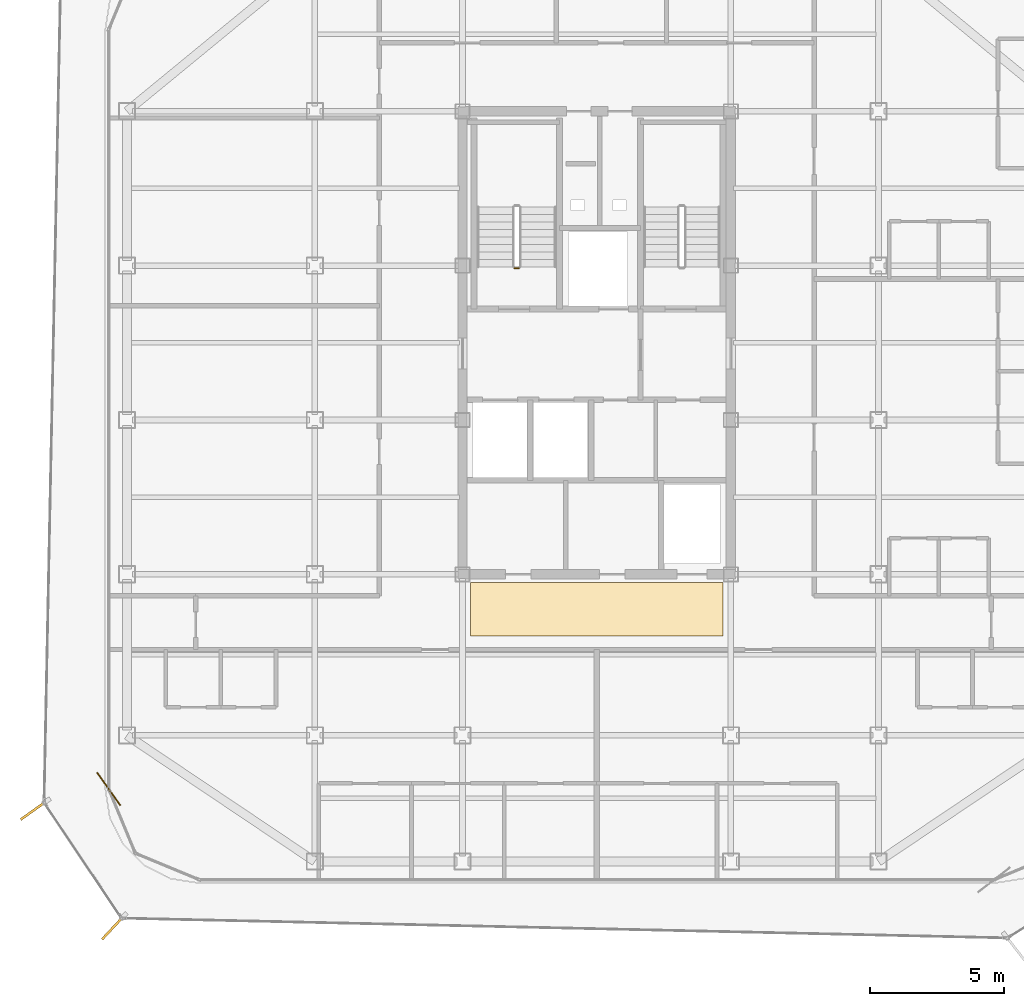
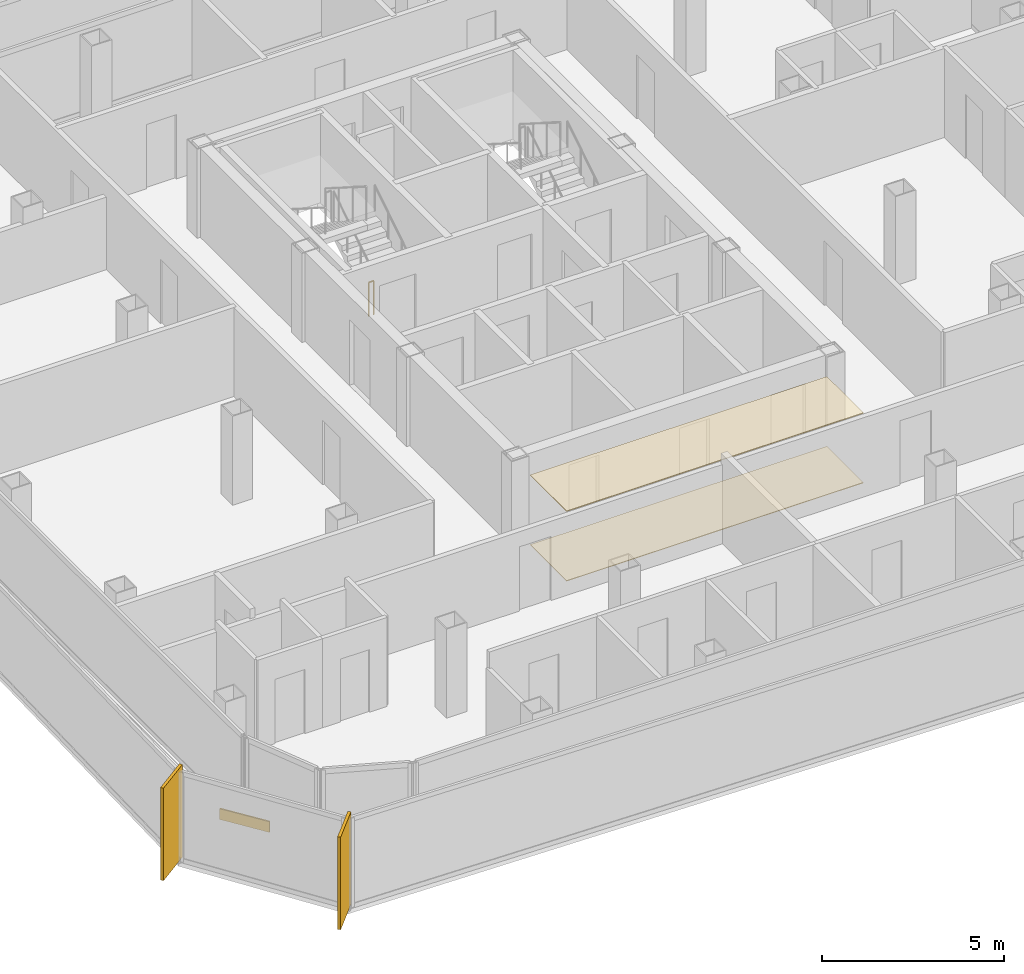
# One storey, part 13 of 15: 3 coverings, 2 shading devices, 1 railing.
"""IFC4 building model written with IfcOpenShell, lengths in metres."""

from ifc_helpers import new_model, si_unit, direction, frame, origin, origin_2d, place, context, subcontext, project, spatial, polyline, rectangle, circle, outline, extrude, source, transform, mapped, material, layer, layer_set, type_object, element, save


model = new_model("IFC4")

# Units and contexts
model_context = context("Model", 3, precision=1e-05, world=origin(), true_north=direction((0.0, 1.0)))
body_context = subcontext(model_context, "Body", "Model", "MODEL_VIEW")
ifc_project = project(units=[si_unit("LENGTHUNIT", "METRE"), si_unit("AREAUNIT", "SQUARE_METRE"), si_unit("VOLUMEUNIT", "CUBIC_METRE"), si_unit("PLANEANGLEUNIT", "RADIAN"), si_unit("MASSUNIT", "GRAM", prefix="KILO")], contexts=[model_context])

# Site, building, storey
site_placement = place(None, origin())
site = spatial("IfcSite", under=ifc_project, at=site_placement, CompositionType="ELEMENT")
building_placement = place(site_placement, origin())
building = spatial("IfcBuilding", under=site, at=building_placement, Name="Kolveth Station Tower", CompositionType="ELEMENT")
storey_placement = place(building_placement, frame((0.0, 0.0, 239.300048828125)))
storey = spatial("IfcBuildingStorey", under=building, at=storey_placement, Name="L68", CompositionType="ELEMENT", Elevation=239.300048828125)

# Coverings
ifc_material_1 = material(Name="Acoustic mineral-fibre ceiling tile")
ifc_layer_1 = layer(ifc_material_1, 0.02490234375)
ifc_layer_set_1 = layer_set([ifc_layer_1], Name="Acoustic mineral-fibre ceiling tile")
covering_type_1 = type_object("IfcCoveringType", Name="Ceil_CL1", PredefinedType="CEILING", material=ifc_layer_set_1)
covering_1_placement = place(storey_placement, frame((0.0, 0.0, 2.329833984375)))
element("IfcCovering", 1, at=covering_1_placement, inside=storey, type_object=covering_type_1, Name="L68 Lift Lobby Suspended Ceiling", PredefinedType="CEILING", context=body_context, shape_type="SweptSolid", body=[
    extrude(outline(polyline([(18.800048828125, 9.199951171875), (28.199951171875, 9.199951171875), (28.199951171875, 11.199951171875), (18.800048828125, 11.199951171875), (18.800048828125, 9.199951171875)])), origin(), (0.0, 0.0, 1.0), 0.025146484375),
])
ifc_material_2 = material(Name="Honed terrazzo flooring")
ifc_layer_2 = layer(ifc_material_2, 0.02001953125)
ifc_layer_set_2 = layer_set([ifc_layer_2], Name="Honed terrazzo flooring")
covering_type_2 = type_object("IfcCoveringType", Name="Floor_FL1", PredefinedType="FLOORING", material=ifc_layer_set_2)
covering_2_placement = place(storey_placement, origin())
element("IfcCovering", 2, at=covering_2_placement, inside=storey, type_object=covering_type_2, Name="L68 Lift Lobby Floor Finish", PredefinedType="FLOORING", context=body_context, shape_type="SweptSolid", body=[
    extrude(outline(polyline([(18.800048828125, 9.199951171875), (28.199951171875, 9.199951171875), (28.199951171875, 11.199951171875), (18.800048828125, 11.199951171875), (18.800048828125, 9.199951171875)])), origin(), (0.0, 0.0, 1.0), 0.02001953125),
])

# Railing
ifc_material_3 = material(Name="Painted Steel S355 balustrade", Category="steel")
railing_type = type_object("IfcRailingType", Name="Guard_GR2", PredefinedType="BALUSTRADE", material=ifc_material_3)
railing_placement = place(storey_placement, frame((20.60009765625, 22.89990234375, 0.0)))
element("IfcRailing", 3, at=railing_placement, inside=storey, type_object=railing_type, Name="L68 ST1 stair guard 4", PredefinedType="BALUSTRADE", context=body_context, shape_type="SweptSolid", body=[
    extrude(circle(Radius=0.02392578125, at=origin_2d()), frame((0.0, 0.0, 1.1259765625), z_axis=(-1.0, 0.0, 0.0), x_axis=(0.0, -1.0, 0.0)), (0.0, 0.0, 1.0), 0.16015625),
    extrude(circle(Radius=0.02099609375, at=origin_2d()), origin(), (0.0, 0.0, 1.0), 1.101806640625),
    extrude(circle(Radius=0.02099609375, at=origin_2d()), frame((-0.16015625, 0.0, 0.0)), (0.0, 0.0, 1.0), 1.101806640625),
])

# Shading devices
ifc_material_4 = material(Name="Black anodized aluminium 6063-T6", Category="aluminium")
shading_device_type = type_object("IfcShadingDeviceType", Name="FIN_VF1", PredefinedType="USERDEFINED", material=ifc_material_4)
shared_shape_1 = source(origin(), body_context, "Body", "SweptSolid", [
    extrude(rectangle(XDim=1.25, YDim=0.090087890625, at=origin_2d()), origin(), (0.0, 0.0, 1.0), 3.10009765625),
])
for number, where, z_axis, x_axis, name in (
    (4, (2.550048828125, 2.72607421875, 0.0), (0.0, 0.0, 1.0), (-0.814419462102, -0.58027660624, 0.0), "L68 Dark-Aluminium Solar Fin 7"),
    (5, (5.49609375, -1.64501953125, 0.0), (0.0, 0.0, 1.0), (-0.682253609109, -0.73111559473, 0.0), "L68 Dark-Aluminium Solar Fin 8"),
):
    element("IfcShadingDevice", number, at=place(storey_placement, frame(where, z_axis=z_axis, x_axis=x_axis)), inside=storey, type_object=shading_device_type, Name=name, ObjectType="FIN", PredefinedType="USERDEFINED", context=body_context, shape_type="MappedRepresentation", body=[
        mapped(shared_shape_1, transform((0.0, 0.0, 0.0), x_axis=(1.0, 0.0, 0.0), y_axis=(0.0, 1.0, 0.0), z_axis=(0.0, 0.0, 1.0), scale=1.0)),
    ])

# Covering
ifc_material_5 = material(Name="Charcoal anodized aluminium spandrel cladding", Category="aluminium")
ifc_layer_3 = layer(ifc_material_5, 0.044921875)
ifc_layer_set_3 = layer_set([ifc_layer_3], Name="Charcoal anodized aluminium spandrel cladding")
covering_type_3 = type_object("IfcCoveringType", Name="Clad_CD1", PredefinedType="CLADDING", material=ifc_layer_set_3)
shared_shape_2 = source(origin(), body_context, "Body", "SweptSolid", [
    extrude(rectangle(XDim=1.5, YDim=0.044921875, at=origin_2d()), origin(), (0.0, 0.0, 1.0), 0.360107421875),
])
covering_3_placement = place(storey_placement, frame((5.320068359375, 3.5, 0.0), z_axis=(0.0, 0.0, 1.0), x_axis=(0.58027660624, -0.814419462102, 0.0)))
element("IfcCovering", 6, at=covering_3_placement, inside=storey, type_object=covering_type_3, Name="L68 Spandrel Edge Cladding 7", PredefinedType="CLADDING", context=body_context, shape_type="MappedRepresentation", body=[
    mapped(shared_shape_2, transform((0.0, 0.0, 0.0), x_axis=(1.0, 0.0, 0.0), y_axis=(0.0, 1.0, 0.0), z_axis=(0.0, 0.0, 1.0), scale=1.0)),
])

save(model, "model.ifc")
